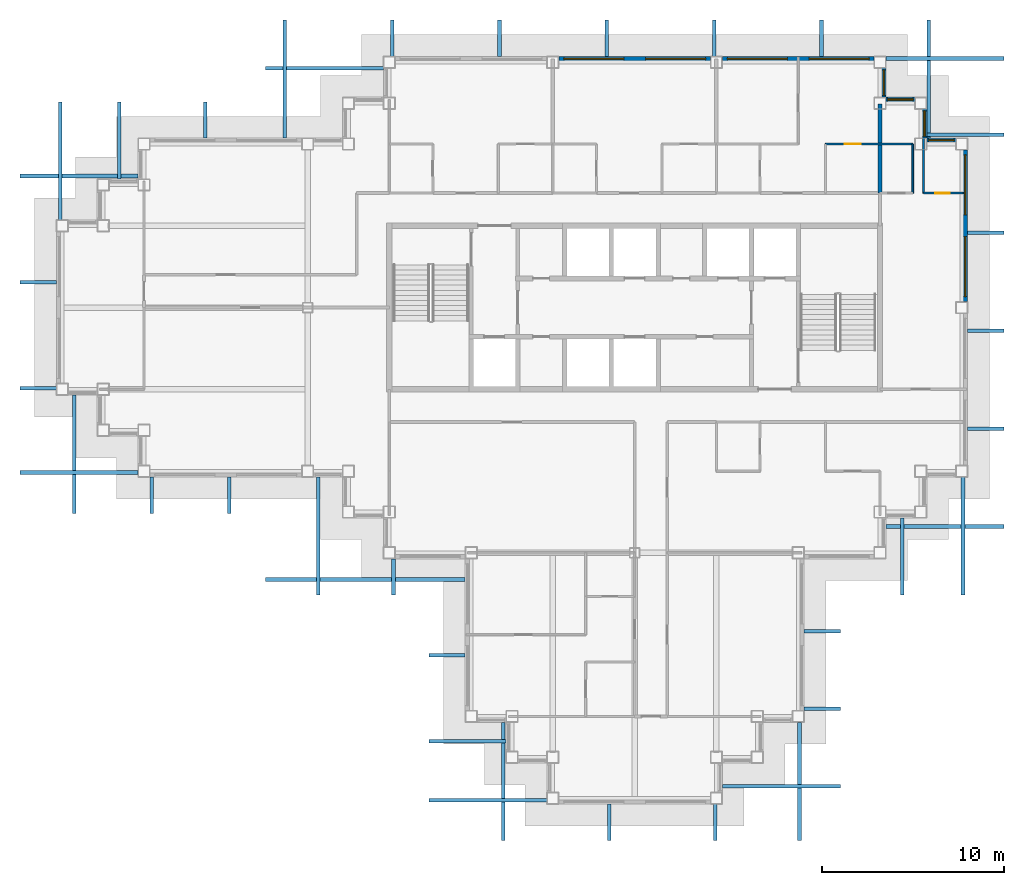
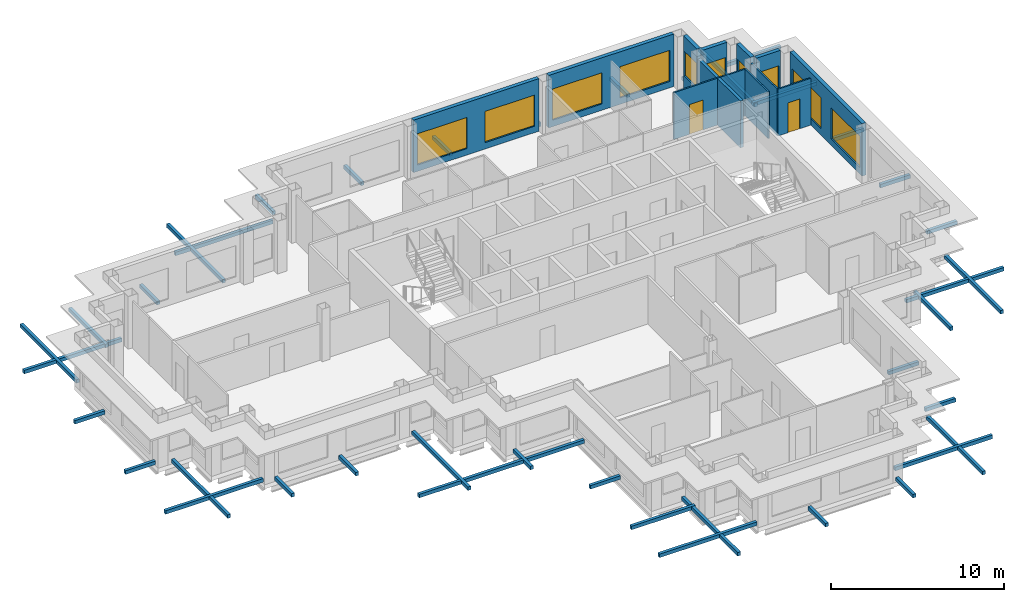
# One storey, part 7 of 11: 39 discrete accessories, 12 walls, 10 windows, 2 doors, 12 openings.
"""IFC4 building model written with IfcOpenShell, lengths in metres."""

from ifc_helpers import new_model, si_unit, direction, frame, frame_2d, origin, origin_2d, place, context, subcontext, project, spatial, rectangle, extrude, material, layer, layer_set, type_object, element, fill, save


model = new_model("IFC4")

# Units and contexts
model_context = context("Model", 3, precision=1e-05, world=origin(), true_north=direction((0.0, 1.0)))
body_context = subcontext(model_context, "Body", "Model", "MODEL_VIEW")
ifc_project = project(units=[si_unit("LENGTHUNIT", "METRE"), si_unit("AREAUNIT", "SQUARE_METRE"), si_unit("VOLUMEUNIT", "CUBIC_METRE"), si_unit("PLANEANGLEUNIT", "RADIAN"), si_unit("MASSUNIT", "GRAM", prefix="KILO")], contexts=[model_context])

# Site, building, storey
site_placement = place(None, origin())
site = spatial("IfcSite", under=ifc_project, at=site_placement, CompositionType="ELEMENT")
building_placement = place(site_placement, origin())
building = spatial("IfcBuilding", under=site, at=building_placement, Name="Caravel Reach Hotel and Residences", CompositionType="ELEMENT")
storey_placement = place(building_placement, frame((0.0, 0.0, 229.39990234375)))
storey = spatial("IfcBuildingStorey", under=building, at=storey_placement, Name="L58", CompositionType="ELEMENT", Elevation=229.39990234375)

# Wall, opening, door
ifc_material_1 = material(Name="Gypsum board on steel stud", Category="steel")
ifc_layer_1 = layer(ifc_material_1, 0.10009765625)
ifc_layer_set_1 = layer_set([ifc_layer_1], Name="Bathroom pod wall 100 mm")
wall_type_1 = type_object("IfcWallType", Name="Bathroom pod wall 100 mm", PredefinedType="PARTITIONING", material=ifc_layer_set_1)
wall_1_placement = place(storey_placement, frame((47.39990234375, 33.300048828125, 0.0), z_axis=(0.0, 0.0, 1.0), x_axis=(1.0, 0.0, 0.0)))
wall_1 = element("IfcWall", 1, at=wall_1_placement, inside=storey, type_object=wall_type_1, Name="L58 wall w069", PredefinedType="PARTITIONING", context=body_context, shape_type="SweptSolid", body=[
    extrude(rectangle(XDim=2.175048828125, YDim=0.10009765625, at=frame_2d((1.08740234375, 0.0))), origin(), (0.0, 0.0, 1.0), 3.300048828125),
])
opening_1_placement = place(wall_1_placement, frame((0.64990234375, 0.0, 0.0)))
opening_1 = element("IfcOpeningElement", 2, at=opening_1_placement, cuts=wall_1, Name="Opening D58-039", PredefinedType="OPENING", context=body_context, shape_type="SweptSolid", body=[
    extrude(rectangle(XDim=0.800048828125, YDim=2.10009765625, at=frame_2d((0.39990234375, 1.050048828125))), frame((0.0, 0.06005859375, 0.0), z_axis=(0.0, -1.0, 0.0), x_axis=(1.0, 0.0, 0.0)), (0.0, 0.0, 1.0), 0.1201171875),
])
ifc_material_2 = material(Name="Timber and steel door leaf", Category="steel")
door_type_1 = type_object("IfcDoorType", Name="Bathroom door 800 x 2100", OperationType="SINGLE_SWING_LEFT", PredefinedType="DOOR", material=ifc_material_2)
door_1_placement = place(opening_1_placement, origin())
door_1 = element("IfcDoor", 3, at=door_1_placement, inside=storey, type_object=door_type_1, Name="door D58-039", OperationType="SINGLE_SWING_LEFT", OverallHeight=2.10009765625, OverallWidth=0.800048828125, PredefinedType="DOOR", context=body_context, shape_type="SweptSolid", body=[
    extrude(rectangle(XDim=0.800048828125, YDim=2.10009765625, at=frame_2d((0.39990234375, 1.050048828125))), frame((0.0, 0.02490234375, 0.0), z_axis=(0.0, -1.0, 0.0), x_axis=(1.0, 0.0, 0.0)), (0.0, 0.0, 1.0), 0.050048828125),
])
fill(opening_1, door_1)

# Wall
wall_2_placement = place(storey_placement, frame((47.39990234375, 33.300048828125, 0.0), z_axis=(0.0, 0.0, 1.0), x_axis=(0.0, 1.0, 0.0)))
element("IfcWall", 4, at=wall_2_placement, inside=storey, type_object=wall_type_1, Name="L58 wall w083", PredefinedType="PARTITIONING", context=body_context, shape_type="SweptSolid", body=[
    extrude(rectangle(XDim=3.02490234375, YDim=0.10009765625, at=frame_2d((1.512451171875, 0.0))), origin(), (0.0, 0.0, 1.0), 3.300048828125),
])

# Wall, openings, windows
ifc_material_3 = material(Name="Insulated rainscreen wall, aluminium cladding", Category="aluminium")
ifc_layer_2 = layer(ifc_material_3, 0.25)
ifc_layer_set_2 = layer_set([ifc_layer_2], Name="EW1 Tower rainscreen wall")
wall_type_2 = type_object("IfcWallType", Name="EW1 Tower rainscreen wall", PredefinedType="SOLIDWALL", material=ifc_layer_set_2)
wall_3_placement = place(storey_placement, frame((49.699951171875, 27.324951171875, 0.0), z_axis=(0.0, 0.0, 1.0), x_axis=(0.0, 1.0, 0.0)))
wall_3 = element("IfcWall", 5, at=wall_3_placement, inside=storey, type_object=wall_type_2, Name="External wall L58 E6.2", PredefinedType="SOLIDWALL", context=body_context, shape_type="SweptSolid", body=[
    extrude(rectangle(XDim=8.35009765625, YDim=0.25, at=frame_2d((4.175048828125, 0.0))), origin(), (0.0, 0.0, 1.0), 3.7001953125),
])
opening_2_placement = place(wall_3_placement, frame((0.27490234375, 0.0, 0.449951171875)))
opening_2 = element("IfcOpeningElement", 6, at=opening_2_placement, cuts=wall_3, Name="Opening WN19", PredefinedType="OPENING", context=body_context, shape_type="SweptSolid", body=[
    extrude(rectangle(XDim=3.300048828125, YDim=2.199951171875, at=frame_2d((1.64990234375, 1.10009765625))), frame((0.0, 0.135009765625, 0.0), z_axis=(0.0, -1.0, 0.0), x_axis=(1.0, 0.0, 0.0)), (0.0, 0.0, 1.0), 0.27001953125),
])
opening_3_placement = place(wall_3_placement, frame((4.77490234375, 0.0, 0.449951171875)))
opening_3 = element("IfcOpeningElement", 7, at=opening_3_placement, cuts=wall_3, Name="Opening WN19", PredefinedType="OPENING", context=body_context, shape_type="SweptSolid", body=[
    extrude(rectangle(XDim=3.300048828125, YDim=2.199951171875, at=frame_2d((1.64990234375, 1.10009765625))), frame((0.0, 0.135009765625, 0.0), z_axis=(0.0, -1.0, 0.0), x_axis=(1.0, 0.0, 0.0)), (0.0, 0.0, 1.0), 0.27001953125),
])
ifc_material_4 = material(Name="Dark low-e glazing in black aluminium frame", Category="aluminium")
window_type_1 = type_object("IfcWindowType", Name="Residence living window 3300 x 2200", PartitioningType="SINGLE_PANEL", PredefinedType="WINDOW", material=ifc_material_4)
window_1_placement = place(opening_2_placement, origin())
window_1 = element("IfcWindow", 8, at=window_1_placement, inside=storey, type_object=window_type_1, Name="Window L58 E6.2.1", OverallHeight=2.199951171875, OverallWidth=3.300048828125, PartitioningType="SINGLE_PANEL", PredefinedType="WINDOW", context=body_context, shape_type="SweptSolid", body=[
    extrude(rectangle(XDim=3.300048828125, YDim=2.199951171875, at=frame_2d((1.64990234375, 1.10009765625))), frame((0.0, 0.030029296875, 0.0), z_axis=(0.0, -1.0, 0.0), x_axis=(1.0, 0.0, 0.0)), (0.0, 0.0, 1.0), 0.06005859375),
])
fill(opening_2, window_1)
window_2_placement = place(opening_3_placement, origin())
window_2 = element("IfcWindow", 9, at=window_2_placement, inside=storey, type_object=window_type_1, Name="Window L58 E6.2.2", OverallHeight=2.199951171875, OverallWidth=3.300048828125, PartitioningType="SINGLE_PANEL", PredefinedType="WINDOW", context=body_context, shape_type="SweptSolid", body=[
    extrude(rectangle(XDim=3.300048828125, YDim=2.199951171875, at=frame_2d((1.64990234375, 1.10009765625))), frame((0.0, 0.030029296875, 0.0), z_axis=(0.0, -1.0, 0.0), x_axis=(1.0, 0.0, 0.0)), (0.0, 0.0, 1.0), 0.06005859375),
])
fill(opening_3, window_2)

# Wall, opening, window
wall_4_placement = place(storey_placement, frame((49.175048828125, 36.199951171875, 0.0), z_axis=(0.0, 0.0, 1.0), x_axis=(-1.0, 0.0, 0.0)))
wall_4 = element("IfcWall", 10, at=wall_4_placement, inside=storey, type_object=wall_type_2, Name="External wall L58 N7.1", PredefinedType="SOLIDWALL", context=body_context, shape_type="SweptSolid", body=[
    extrude(rectangle(XDim=1.60009765625, YDim=0.25, at=frame_2d((0.800048828125, 0.0))), origin(), (0.0, 0.0, 1.0), 3.7001953125),
])
opening_4_placement = place(wall_4_placement, frame((0.10009765625, 0.0, 0.89990234375)))
opening_4 = element("IfcOpeningElement", 11, at=opening_4_placement, cuts=wall_4, Name="Opening WN24", PredefinedType="OPENING", context=body_context, shape_type="SweptSolid", body=[
    extrude(rectangle(XDim=1.39990234375, YDim=1.75, at=frame_2d((0.699951171875, 0.875))), frame((0.0, 0.135009765625, 0.0), z_axis=(0.0, -1.0, 0.0), x_axis=(1.0, 0.0, 0.0)), (0.0, 0.0, 1.0), 0.27001953125),
])
ifc_material_5 = material(Name="Dark low-e glazing in black aluminium frame", Category="aluminium")
window_type_2 = type_object("IfcWindowType", Name="Residence bedroom window 1400 x 1750", PartitioningType="SINGLE_PANEL", PredefinedType="WINDOW", material=ifc_material_5)
window_3_placement = place(opening_4_placement, origin())
window_3 = element("IfcWindow", 12, at=window_3_placement, inside=storey, type_object=window_type_2, Name="Window L58 N7.1.1", OverallHeight=1.75, OverallWidth=1.39990234375, PartitioningType="SINGLE_PANEL", PredefinedType="WINDOW", context=body_context, shape_type="SweptSolid", body=[
    extrude(rectangle(XDim=1.39990234375, YDim=1.75, at=frame_2d((0.699951171875, 0.875))), frame((0.0, 0.030029296875, 0.0), z_axis=(0.0, -1.0, 0.0), x_axis=(1.0, 0.0, 0.0)), (0.0, 0.0, 1.0), 0.06005859375),
])
fill(opening_4, window_3)

wall_5_placement = place(storey_placement, frame((47.449951171875, 36.324951171875, 0.0), z_axis=(0.0, 0.0, 1.0), x_axis=(0.0, 1.0, 0.0)))
wall_5 = element("IfcWall", 13, at=wall_5_placement, inside=storey, type_object=wall_type_2, Name="External wall L58 E8.1", PredefinedType="SOLIDWALL", context=body_context, shape_type="SweptSolid", body=[
    extrude(rectangle(XDim=1.60009765625, YDim=0.25, at=frame_2d((0.800048828125, 0.0))), origin(), (0.0, 0.0, 1.0), 3.7001953125),
])
opening_5_placement = place(wall_5_placement, frame((0.10009765625, 0.0, 0.89990234375)))
opening_5 = element("IfcOpeningElement", 14, at=opening_5_placement, cuts=wall_5, Name="Opening WN24", PredefinedType="OPENING", context=body_context, shape_type="SweptSolid", body=[
    extrude(rectangle(XDim=1.39990234375, YDim=1.75, at=frame_2d((0.699951171875, 0.875))), frame((0.0, 0.135009765625, 0.0), z_axis=(0.0, -1.0, 0.0), x_axis=(1.0, 0.0, 0.0)), (0.0, 0.0, 1.0), 0.27001953125),
])
window_4_placement = place(opening_5_placement, origin())
window_4 = element("IfcWindow", 15, at=window_4_placement, inside=storey, type_object=window_type_2, Name="Window L58 E8.1.1", OverallHeight=1.75, OverallWidth=1.39990234375, PartitioningType="SINGLE_PANEL", PredefinedType="WINDOW", context=body_context, shape_type="SweptSolid", body=[
    extrude(rectangle(XDim=1.39990234375, YDim=1.75, at=frame_2d((0.699951171875, 0.875))), frame((0.0, 0.030029296875, 0.0), z_axis=(0.0, -1.0, 0.0), x_axis=(1.0, 0.0, 0.0)), (0.0, 0.0, 1.0), 0.06005859375),
])
fill(opening_5, window_4)

wall_6_placement = place(storey_placement, frame((46.925048828125, 38.449951171875, 0.0), z_axis=(0.0, 0.0, 1.0), x_axis=(-1.0, 0.0, 0.0)))
wall_6 = element("IfcWall", 16, at=wall_6_placement, inside=storey, type_object=wall_type_2, Name="External wall L58 N9.1", PredefinedType="SOLIDWALL", context=body_context, shape_type="SweptSolid", body=[
    extrude(rectangle(XDim=1.60009765625, YDim=0.25, at=frame_2d((0.800048828125, 0.0))), origin(), (0.0, 0.0, 1.0), 3.7001953125),
])
opening_6_placement = place(wall_6_placement, frame((0.10009765625, 0.0, 0.89990234375)))
opening_6 = element("IfcOpeningElement", 17, at=opening_6_placement, cuts=wall_6, Name="Opening WN24", PredefinedType="OPENING", context=body_context, shape_type="SweptSolid", body=[
    extrude(rectangle(XDim=1.39990234375, YDim=1.75, at=frame_2d((0.699951171875, 0.875))), frame((0.0, 0.135009765625, 0.0), z_axis=(0.0, -1.0, 0.0), x_axis=(1.0, 0.0, 0.0)), (0.0, 0.0, 1.0), 0.27001953125),
])
window_5_placement = place(opening_6_placement, origin())
window_5 = element("IfcWindow", 18, at=window_5_placement, inside=storey, type_object=window_type_2, Name="Window L58 N9.1.1", OverallHeight=1.75, OverallWidth=1.39990234375, PartitioningType="SINGLE_PANEL", PredefinedType="WINDOW", context=body_context, shape_type="SweptSolid", body=[
    extrude(rectangle(XDim=1.39990234375, YDim=1.75, at=frame_2d((0.699951171875, 0.875))), frame((0.0, 0.030029296875, 0.0), z_axis=(0.0, -1.0, 0.0), x_axis=(1.0, 0.0, 0.0)), (0.0, 0.0, 1.0), 0.06005859375),
])
fill(opening_6, window_5)

wall_7_placement = place(storey_placement, frame((45.199951171875, 38.574951171875, 0.0), z_axis=(0.0, 0.0, 1.0), x_axis=(0.0, 1.0, 0.0)))
wall_7 = element("IfcWall", 19, at=wall_7_placement, inside=storey, type_object=wall_type_2, Name="External wall L58 E10.1", PredefinedType="SOLIDWALL", context=body_context, shape_type="SweptSolid", body=[
    extrude(rectangle(XDim=1.60009765625, YDim=0.25, at=frame_2d((0.800048828125, 0.0))), origin(), (0.0, 0.0, 1.0), 3.7001953125),
])
opening_7_placement = place(wall_7_placement, frame((0.10009765625, 0.0, 0.89990234375)))
opening_7 = element("IfcOpeningElement", 20, at=opening_7_placement, cuts=wall_7, Name="Opening WN24", PredefinedType="OPENING", context=body_context, shape_type="SweptSolid", body=[
    extrude(rectangle(XDim=1.39990234375, YDim=1.75, at=frame_2d((0.699951171875, 0.875))), frame((0.0, 0.135009765625, 0.0), z_axis=(0.0, -1.0, 0.0), x_axis=(1.0, 0.0, 0.0)), (0.0, 0.0, 1.0), 0.27001953125),
])
window_6_placement = place(opening_7_placement, origin())
window_6 = element("IfcWindow", 21, at=window_6_placement, inside=storey, type_object=window_type_2, Name="Window L58 E10.1.1", OverallHeight=1.75, OverallWidth=1.39990234375, PartitioningType="SINGLE_PANEL", PredefinedType="WINDOW", context=body_context, shape_type="SweptSolid", body=[
    extrude(rectangle(XDim=1.39990234375, YDim=1.75, at=frame_2d((0.699951171875, 0.875))), frame((0.0, 0.030029296875, 0.0), z_axis=(0.0, -1.0, 0.0), x_axis=(1.0, 0.0, 0.0)), (0.0, 0.0, 1.0), 0.06005859375),
])
fill(opening_7, window_6)

# Wall, openings, windows
wall_8_placement = place(storey_placement, frame((44.675048828125, 40.699951171875, 0.0), z_axis=(0.0, 0.0, 1.0), x_axis=(-1.0, 0.0, 0.0)))
wall_8 = element("IfcWall", 22, at=wall_8_placement, inside=storey, type_object=wall_type_2, Name="External wall L58 N11.1", PredefinedType="SOLIDWALL", context=body_context, shape_type="SweptSolid", body=[
    extrude(rectangle(XDim=8.35009765625, YDim=0.25, at=frame_2d((4.175048828125, 0.0))), origin(), (0.0, 0.0, 1.0), 3.7001953125),
])
opening_8_placement = place(wall_8_placement, frame((0.27490234375, 0.0, 0.449951171875)))
opening_8 = element("IfcOpeningElement", 23, at=opening_8_placement, cuts=wall_8, Name="Opening WN19", PredefinedType="OPENING", context=body_context, shape_type="SweptSolid", body=[
    extrude(rectangle(XDim=3.300048828125, YDim=2.199951171875, at=frame_2d((1.64990234375, 1.10009765625))), frame((0.0, 0.135009765625, 0.0), z_axis=(0.0, -1.0, 0.0), x_axis=(1.0, 0.0, 0.0)), (0.0, 0.0, 1.0), 0.27001953125),
])
opening_9_placement = place(wall_8_placement, frame((4.77490234375, 0.0, 0.449951171875)))
opening_9 = element("IfcOpeningElement", 24, at=opening_9_placement, cuts=wall_8, Name="Opening WN19", PredefinedType="OPENING", context=body_context, shape_type="SweptSolid", body=[
    extrude(rectangle(XDim=3.300048828125, YDim=2.199951171875, at=frame_2d((1.64990234375, 1.10009765625))), frame((0.0, 0.135009765625, 0.0), z_axis=(0.0, -1.0, 0.0), x_axis=(1.0, 0.0, 0.0)), (0.0, 0.0, 1.0), 0.27001953125),
])
window_7_placement = place(opening_8_placement, origin())
window_7 = element("IfcWindow", 25, at=window_7_placement, inside=storey, type_object=window_type_1, Name="Window L58 N11.1.1", OverallHeight=2.199951171875, OverallWidth=3.300048828125, PartitioningType="SINGLE_PANEL", PredefinedType="WINDOW", context=body_context, shape_type="SweptSolid", body=[
    extrude(rectangle(XDim=3.300048828125, YDim=2.199951171875, at=frame_2d((1.64990234375, 1.10009765625))), frame((0.0, 0.030029296875, 0.0), z_axis=(0.0, -1.0, 0.0), x_axis=(1.0, 0.0, 0.0)), (0.0, 0.0, 1.0), 0.06005859375),
])
fill(opening_8, window_7)
window_8_placement = place(opening_9_placement, origin())
window_8 = element("IfcWindow", 26, at=window_8_placement, inside=storey, type_object=window_type_1, Name="Window L58 N11.1.2", OverallHeight=2.199951171875, OverallWidth=3.300048828125, PartitioningType="SINGLE_PANEL", PredefinedType="WINDOW", context=body_context, shape_type="SweptSolid", body=[
    extrude(rectangle(XDim=3.300048828125, YDim=2.199951171875, at=frame_2d((1.64990234375, 1.10009765625))), frame((0.0, 0.030029296875, 0.0), z_axis=(0.0, -1.0, 0.0), x_axis=(1.0, 0.0, 0.0)), (0.0, 0.0, 1.0), 0.06005859375),
])
fill(opening_9, window_8)

wall_9_placement = place(storey_placement, frame((35.675048828125, 40.699951171875, 0.0), z_axis=(0.0, 0.0, 1.0), x_axis=(-1.0, 0.0, 0.0)))
wall_9 = element("IfcWall", 27, at=wall_9_placement, inside=storey, type_object=wall_type_2, Name="External wall L58 N11.2", PredefinedType="SOLIDWALL", context=body_context, shape_type="SweptSolid", body=[
    extrude(rectangle(XDim=8.35009765625, YDim=0.25, at=frame_2d((4.175048828125, 0.0))), origin(), (0.0, 0.0, 1.0), 3.7001953125),
])
opening_10_placement = place(wall_9_placement, frame((0.27490234375, 0.0, 0.449951171875)))
opening_10 = element("IfcOpeningElement", 28, at=opening_10_placement, cuts=wall_9, Name="Opening WN19", PredefinedType="OPENING", context=body_context, shape_type="SweptSolid", body=[
    extrude(rectangle(XDim=3.300048828125, YDim=2.199951171875, at=frame_2d((1.64990234375, 1.10009765625))), frame((0.0, 0.135009765625, 0.0), z_axis=(0.0, -1.0, 0.0), x_axis=(1.0, 0.0, 0.0)), (0.0, 0.0, 1.0), 0.27001953125),
])
opening_11_placement = place(wall_9_placement, frame((4.77490234375, 0.0, 0.449951171875)))
opening_11 = element("IfcOpeningElement", 29, at=opening_11_placement, cuts=wall_9, Name="Opening WN19", PredefinedType="OPENING", context=body_context, shape_type="SweptSolid", body=[
    extrude(rectangle(XDim=3.300048828125, YDim=2.199951171875, at=frame_2d((1.64990234375, 1.10009765625))), frame((0.0, 0.135009765625, 0.0), z_axis=(0.0, -1.0, 0.0), x_axis=(1.0, 0.0, 0.0)), (0.0, 0.0, 1.0), 0.27001953125),
])
window_9_placement = place(opening_10_placement, origin())
window_9 = element("IfcWindow", 30, at=window_9_placement, inside=storey, type_object=window_type_1, Name="Window L58 N11.2.1", OverallHeight=2.199951171875, OverallWidth=3.300048828125, PartitioningType="SINGLE_PANEL", PredefinedType="WINDOW", context=body_context, shape_type="SweptSolid", body=[
    extrude(rectangle(XDim=3.300048828125, YDim=2.199951171875, at=frame_2d((1.64990234375, 1.10009765625))), frame((0.0, 0.030029296875, 0.0), z_axis=(0.0, -1.0, 0.0), x_axis=(1.0, 0.0, 0.0)), (0.0, 0.0, 1.0), 0.06005859375),
])
fill(opening_10, window_9)
window_10_placement = place(opening_11_placement, origin())
window_10 = element("IfcWindow", 31, at=window_10_placement, inside=storey, type_object=window_type_1, Name="Window L58 N11.2.2", OverallHeight=2.199951171875, OverallWidth=3.300048828125, PartitioningType="SINGLE_PANEL", PredefinedType="WINDOW", context=body_context, shape_type="SweptSolid", body=[
    extrude(rectangle(XDim=3.300048828125, YDim=2.199951171875, at=frame_2d((1.64990234375, 1.10009765625))), frame((0.0, 0.030029296875, 0.0), z_axis=(0.0, -1.0, 0.0), x_axis=(1.0, 0.0, 0.0)), (0.0, 0.0, 1.0), 0.06005859375),
])
fill(opening_11, window_10)

# Wall, opening, door
ifc_material_6 = material(Name="Gypsum board on steel stud", Category="steel")
ifc_layer_3 = layer(ifc_material_6, 0.10009765625)
ifc_layer_set_3 = layer_set([ifc_layer_3], Name="Partition 100 mm")
wall_type_3 = type_object("IfcWallType", Name="Partition 100 mm", PredefinedType="PARTITIONING", material=ifc_layer_set_3)
wall_10_placement = place(storey_placement, frame((42.0, 36.0, 0.0), z_axis=(0.0, 0.0, 1.0), x_axis=(1.0, 0.0, 0.0)))
wall_10 = element("IfcWall", 32, at=wall_10_placement, inside=storey, type_object=wall_type_3, Name="L58 wall w036", PredefinedType="PARTITIONING", context=body_context, shape_type="SweptSolid", body=[
    extrude(rectangle(XDim=4.800048828125, YDim=0.10009765625, at=frame_2d((2.39990234375, 0.0))), origin(), (0.0, 0.0, 1.0), 3.300048828125),
])
opening_12_placement = place(wall_10_placement, frame((1.050048828125, 0.0, 0.0)))
opening_12 = element("IfcOpeningElement", 33, at=opening_12_placement, cuts=wall_10, Name="Opening D58-024", PredefinedType="OPENING", context=body_context, shape_type="SweptSolid", body=[
    extrude(rectangle(XDim=0.89990234375, YDim=2.10009765625, at=frame_2d((0.449951171875, 1.050048828125))), frame((0.0, 0.06005859375, 0.0), z_axis=(0.0, -1.0, 0.0), x_axis=(1.0, 0.0, 0.0)), (0.0, 0.0, 1.0), 0.1201171875),
])
ifc_material_7 = material(Name="Timber and steel door leaf", Category="steel")
door_type_2 = type_object("IfcDoorType", Name="Door 900 x 2100 timber", OperationType="SINGLE_SWING_LEFT", PredefinedType="DOOR", material=ifc_material_7)
door_2_placement = place(opening_12_placement, origin())
door_2 = element("IfcDoor", 34, at=door_2_placement, inside=storey, type_object=door_type_2, Name="door D58-024", OperationType="SINGLE_SWING_RIGHT", OverallHeight=2.10009765625, OverallWidth=0.89990234375, PredefinedType="DOOR", context=body_context, shape_type="SweptSolid", body=[
    extrude(rectangle(XDim=0.89990234375, YDim=2.10009765625, at=frame_2d((0.449951171875, 1.050048828125))), frame((0.0, 0.02490234375, 0.0), z_axis=(0.0, -1.0, 0.0), x_axis=(1.0, 0.0, 0.0)), (0.0, 0.0, 1.0), 0.050048828125),
])
fill(opening_12, door_2)

# Walls
wall_11_placement = place(storey_placement, frame((46.800048828125, 33.300048828125, 0.0), z_axis=(0.0, 0.0, 1.0), x_axis=(0.0, 1.0, 0.0)))
element("IfcWall", 35, at=wall_11_placement, inside=storey, type_object=wall_type_3, Name="L58 wall w057", PredefinedType="PARTITIONING", context=body_context, shape_type="SweptSolid", body=[
    extrude(rectangle(XDim=2.699951171875, YDim=0.10009765625, at=frame_2d((1.35009765625, 0.0))), origin(), (0.0, 0.0, 1.0), 3.300048828125),
])
ifc_material_8 = material(Name="Autoclaved aerated block wall")
ifc_layer_4 = layer(ifc_material_8, 0.199951171875)
ifc_layer_set_4 = layer_set([ifc_layer_4], Name="Party wall 200 mm EI 60")
wall_type_4 = type_object("IfcWallType", Name="Party wall 200 mm EI 60", PredefinedType="PARTITIONING", material=ifc_layer_set_4)
wall_12_placement = place(storey_placement, frame((45.0, 33.300048828125, 0.0), z_axis=(0.0, 0.0, 1.0), x_axis=(0.0, 1.0, 0.0)))
element("IfcWall", 36, at=wall_12_placement, inside=storey, type_object=wall_type_4, Name="L58 wall w061", PredefinedType="PARTITIONING", context=body_context, shape_type="SweptSolid", body=[
    extrude(rectangle(XDim=4.89990234375, YDim=0.199951171875, at=frame_2d((2.449951171875, 0.0))), origin(), (0.0, 0.0, 1.0), 3.300048828125),
])

# Discrete accessories
ifc_material_9 = material(Name="Black powder-coated aluminium", Category="aluminium")
discrete_accessory_type = type_object("IfcDiscreteAccessoryType", Name="BR1 Screen bracket", PredefinedType="BRACKET", material=ifc_material_9)
discrete_accessory_1_placement = place(storey_placement, frame((39.574951171875, 0.66162109375, 0.10009765625), z_axis=(0.0, 0.0, 1.0), x_axis=(1.0, 0.0, 0.0)))
element("IfcDiscreteAccessory", 37, at=discrete_accessory_1_placement, inside=storey, type_object=discrete_accessory_type, Name="Screen bracket L58 1.1.2", PredefinedType="BRACKET", context=body_context, shape_type="SweptSolid", body=[
    extrude(rectangle(XDim=6.5, YDim=0.199951171875, at=origin_2d()), origin(), (0.0, 0.0, 1.0), 0.25),
])
for number, where, z_axis, x_axis, name in (
    (38, (41.824951171875, 4.92822265625, 0.10009765625), (0.0, 0.0, 1.0), (1.0, 0.0, 0.0), "Screen bracket L58 1.2.2"),
    (39, (41.824951171875, 9.195068359375, 0.10009765625), (0.0, 0.0, 1.0), (1.0, 0.0, 0.0), "Screen bracket L58 1.3.2"),
):
    element("IfcDiscreteAccessory", number, at=place(storey_placement, frame(where, z_axis=z_axis, x_axis=x_axis)), inside=storey, type_object=discrete_accessory_type, Name=name, PredefinedType="BRACKET", context=body_context, shape_type="SweptSolid", body=[
        extrude(rectangle(XDim=2.0, YDim=0.199951171875, at=origin_2d()), origin(), (0.0, 0.0, 1.0), 0.25),
    ])
discrete_accessory_2_placement = place(storey_placement, frame((46.219970703125, 13.300048828125, 0.10009765625), z_axis=(0.0, 0.0, 1.0), x_axis=(0.0, -1.0, 0.0)))
element("IfcDiscreteAccessory", 40, at=discrete_accessory_2_placement, inside=storey, type_object=discrete_accessory_type, Name="Screen bracket L58 2.1.2", PredefinedType="BRACKET", context=body_context, shape_type="SweptSolid", body=[
    extrude(rectangle(XDim=4.25, YDim=0.199951171875, at=origin_2d()), origin(), (0.0, 0.0, 1.0), 0.25),
])
for number, where, z_axis, x_axis, name in (
    (41, (49.570068359375, 14.425048828125, 0.10009765625), (0.0, 0.0, 1.0), (0.0, -1.0, 0.0), "Screen bracket L58 2.2.2"),
    (42, (48.574951171875, 14.94921875, 0.10009765625), (0.0, 0.0, 1.0), (1.0, 0.0, 0.0), "Screen bracket L58 3.1.2"),
):
    element("IfcDiscreteAccessory", number, at=place(storey_placement, frame(where, z_axis=z_axis, x_axis=x_axis)), inside=storey, type_object=discrete_accessory_type, Name=name, PredefinedType="BRACKET", context=body_context, shape_type="SweptSolid", body=[
        extrude(rectangle(XDim=6.5, YDim=0.199951171875, at=origin_2d()), origin(), (0.0, 0.0, 1.0), 0.25),
    ])
for number, where, z_axis, x_axis, name in (
    (43, (50.824951171875, 20.3408203125, 0.10009765625), (0.0, 0.0, 1.0), (1.0, 0.0, 0.0), "Screen bracket L58 3.2.2"),
    (44, (50.824951171875, 25.732421875, 0.10009765625), (0.0, 0.0, 1.0), (1.0, 0.0, 0.0), "Screen bracket L58 3.3.2"),
    (45, (50.824951171875, 31.124267578125, 0.10009765625), (0.0, 0.0, 1.0), (1.0, 0.0, 0.0), "Screen bracket L58 3.4.2"),
):
    element("IfcDiscreteAccessory", number, at=place(storey_placement, frame(where, z_axis=z_axis, x_axis=x_axis)), inside=storey, type_object=discrete_accessory_type, Name=name, PredefinedType="BRACKET", context=body_context, shape_type="SweptSolid", body=[
        extrude(rectangle(XDim=2.0, YDim=0.199951171875, at=origin_2d()), origin(), (0.0, 0.0, 1.0), 0.25),
    ])
discrete_accessory_3_placement = place(storey_placement, frame((49.699951171875, 36.515869140625, 0.10009765625), z_axis=(0.0, 0.0, 1.0), x_axis=(1.0, 0.0, 0.0)))
element("IfcDiscreteAccessory", 46, at=discrete_accessory_3_placement, inside=storey, type_object=discrete_accessory_type, Name="Screen bracket L58 3.5.2", PredefinedType="BRACKET", context=body_context, shape_type="SweptSolid", body=[
    extrude(rectangle(XDim=4.25, YDim=0.199951171875, at=origin_2d()), origin(), (0.0, 0.0, 1.0), 0.25),
])
for number, where, z_axis, x_axis, name in (
    (47, (48.574951171875, 40.70751953125, 0.10009765625), (0.0, 0.0, 1.0), (1.0, 0.0, 0.0), "Screen bracket L58 3.6.2"),
    (48, (47.68994140625, 39.574951171875, 0.10009765625), (0.0, 0.0, 1.0), (0.0, 1.0, 0.0), "Screen bracket L58 4.1.2"),
):
    element("IfcDiscreteAccessory", number, at=place(storey_placement, frame(where, z_axis=z_axis, x_axis=x_axis)), inside=storey, type_object=discrete_accessory_type, Name=name, PredefinedType="BRACKET", context=body_context, shape_type="SweptSolid", body=[
        extrude(rectangle(XDim=6.5, YDim=0.199951171875, at=origin_2d()), origin(), (0.0, 0.0, 1.0), 0.25),
    ])
for number, where, z_axis, x_axis, name in (
    (49, (41.782958984375, 41.824951171875, 0.10009765625), (0.0, 0.0, 1.0), (0.0, 1.0, 0.0), "Screen bracket L58 4.2.2"),
    (50, (35.875732421875, 41.824951171875, 0.10009765625), (0.0, 0.0, 1.0), (0.0, 1.0, 0.0), "Screen bracket L58 4.3.2"),
    (51, (29.968505859375, 41.824951171875, 0.10009765625), (0.0, 0.0, 1.0), (0.0, 1.0, 0.0), "Screen bracket L58 4.4.2"),
    (52, (24.0615234375, 41.824951171875, 0.10009765625), (0.0, 0.0, 1.0), (0.0, 1.0, 0.0), "Screen bracket L58 4.5.2"),
    (53, (18.154296875, 41.824951171875, 0.10009765625), (0.0, 0.0, 1.0), (0.0, 1.0, 0.0), "Screen bracket L58 4.6.2"),
):
    element("IfcDiscreteAccessory", number, at=place(storey_placement, frame(where, z_axis=z_axis, x_axis=x_axis)), inside=storey, type_object=discrete_accessory_type, Name=name, PredefinedType="BRACKET", context=body_context, shape_type="SweptSolid", body=[
        extrude(rectangle(XDim=2.0, YDim=0.199951171875, at=origin_2d()), origin(), (0.0, 0.0, 1.0), 0.25),
    ])
for number, where, z_axis, x_axis, name in (
    (54, (12.2470703125, 39.574951171875, 0.10009765625), (0.0, 0.0, 1.0), (0.0, 1.0, 0.0), "Screen bracket L58 4.7.2"),
    (55, (14.425048828125, 40.1650390625, 0.10009765625), (0.0, 0.0, 1.0), (-1.0, 0.0, 0.0), "Screen bracket L58 5.1.2"),
):
    element("IfcDiscreteAccessory", number, at=place(storey_placement, frame(where, z_axis=z_axis, x_axis=x_axis)), inside=storey, type_object=discrete_accessory_type, Name=name, PredefinedType="BRACKET", context=body_context, shape_type="SweptSolid", body=[
        extrude(rectangle(XDim=6.5, YDim=0.199951171875, at=origin_2d()), origin(), (0.0, 0.0, 1.0), 0.25),
    ])
discrete_accessory_4_placement = place(storey_placement, frame((7.861572265625, 37.324951171875, 0.10009765625), z_axis=(0.0, 0.0, 1.0), x_axis=(0.0, 1.0, 0.0)))
element("IfcDiscreteAccessory", 56, at=discrete_accessory_4_placement, inside=storey, type_object=discrete_accessory_type, Name="Screen bracket L58 6.1.2", PredefinedType="BRACKET", context=body_context, shape_type="SweptSolid", body=[
    extrude(rectangle(XDim=2.0, YDim=0.199951171875, at=origin_2d()), origin(), (0.0, 0.0, 1.0), 0.25),
])
discrete_accessory_5_placement = place(storey_placement, frame((3.12841796875, 36.199951171875, 0.10009765625), z_axis=(0.0, 0.0, 1.0), x_axis=(0.0, 1.0, 0.0)))
element("IfcDiscreteAccessory", 57, at=discrete_accessory_5_placement, inside=storey, type_object=discrete_accessory_type, Name="Screen bracket L58 6.2.2", PredefinedType="BRACKET", context=body_context, shape_type="SweptSolid", body=[
    extrude(rectangle(XDim=4.25, YDim=0.199951171875, at=origin_2d()), origin(), (0.0, 0.0, 1.0), 0.25),
])
for number, where, z_axis, x_axis, name in (
    (58, (-0.10498046875, 35.074951171875, 0.10009765625), (0.0, 0.0, 1.0), (0.0, 1.0, 0.0), "Screen bracket L58 6.3.2"),
    (59, (0.925048828125, 34.23876953125, 0.10009765625), (0.0, 0.0, 1.0), (-1.0, 0.0, 0.0), "Screen bracket L58 7.1.2"),
):
    element("IfcDiscreteAccessory", number, at=place(storey_placement, frame(where, z_axis=z_axis, x_axis=x_axis)), inside=storey, type_object=discrete_accessory_type, Name=name, PredefinedType="BRACKET", context=body_context, shape_type="SweptSolid", body=[
        extrude(rectangle(XDim=6.5, YDim=0.199951171875, at=origin_2d()), origin(), (0.0, 0.0, 1.0), 0.25),
    ])
for number, where, z_axis, x_axis, name in (
    (60, (-1.324951171875, 28.4013671875, 0.10009765625), (0.0, 0.0, 1.0), (-1.0, 0.0, 0.0), "Screen bracket L58 7.2.2"),
    (61, (-1.324951171875, 22.563720703125, 0.10009765625), (0.0, 0.0, 1.0), (-1.0, 0.0, 0.0), "Screen bracket L58 7.3.2"),
):
    element("IfcDiscreteAccessory", number, at=place(storey_placement, frame(where, z_axis=z_axis, x_axis=x_axis)), inside=storey, type_object=discrete_accessory_type, Name=name, PredefinedType="BRACKET", context=body_context, shape_type="SweptSolid", body=[
        extrude(rectangle(XDim=2.0, YDim=0.199951171875, at=origin_2d()), origin(), (0.0, 0.0, 1.0), 0.25),
    ])
for number, where, z_axis, x_axis, name in (
    (62, (0.925048828125, 17.92626953125, 0.10009765625), (0.0, 0.0, 1.0), (-1.0, 0.0, 0.0), "Screen bracket L58 7.4.2"),
    (63, (0.66162109375, 18.925048828125, 0.10009765625), (0.0, 0.0, 1.0), (0.0, -1.0, 0.0), "Screen bracket L58 8.1.2"),
):
    element("IfcDiscreteAccessory", number, at=place(storey_placement, frame(where, z_axis=z_axis, x_axis=x_axis)), inside=storey, type_object=discrete_accessory_type, Name=name, PredefinedType="BRACKET", context=body_context, shape_type="SweptSolid", body=[
        extrude(rectangle(XDim=6.5, YDim=0.199951171875, at=origin_2d()), origin(), (0.0, 0.0, 1.0), 0.25),
    ])
for number, where, z_axis, x_axis, name in (
    (64, (4.92822265625, 16.675048828125, 0.10009765625), (0.0, 0.0, 1.0), (0.0, -1.0, 0.0), "Screen bracket L58 8.2.2"),
    (65, (9.195068359375, 16.675048828125, 0.10009765625), (0.0, 0.0, 1.0), (0.0, -1.0, 0.0), "Screen bracket L58 8.3.2"),
):
    element("IfcDiscreteAccessory", number, at=place(storey_placement, frame(where, z_axis=z_axis, x_axis=x_axis)), inside=storey, type_object=discrete_accessory_type, Name=name, PredefinedType="BRACKET", context=body_context, shape_type="SweptSolid", body=[
        extrude(rectangle(XDim=2.0, YDim=0.199951171875, at=origin_2d()), origin(), (0.0, 0.0, 1.0), 0.25),
    ])
discrete_accessory_6_placement = place(storey_placement, frame((16.675048828125, 12.034912109375, 0.10009765625), z_axis=(0.0, 0.0, 1.0), x_axis=(-1.0, 0.0, 0.0)))
element("IfcDiscreteAccessory", 66, at=discrete_accessory_6_placement, inside=storey, type_object=discrete_accessory_type, Name="Screen bracket L58 9.1.2", PredefinedType="BRACKET", context=body_context, shape_type="SweptSolid", body=[
    extrude(rectangle(XDim=11.0, YDim=0.199951171875, at=origin_2d()), origin(), (0.0, 0.0, 1.0), 0.25),
])
discrete_accessory_7_placement = place(storey_placement, frame((14.080078125, 14.425048828125, 0.10009765625), z_axis=(0.0, 0.0, 1.0), x_axis=(0.0, -1.0, 0.0)))
element("IfcDiscreteAccessory", 67, at=discrete_accessory_7_placement, inside=storey, type_object=discrete_accessory_type, Name="Screen bracket L58 10.1.2", PredefinedType="BRACKET", context=body_context, shape_type="SweptSolid", body=[
    extrude(rectangle(XDim=6.5, YDim=0.199951171875, at=origin_2d()), origin(), (0.0, 0.0, 1.0), 0.25),
])
for number, where, z_axis, x_axis, name in (
    (68, (18.22998046875, 12.175048828125, 0.10009765625), (0.0, 0.0, 1.0), (0.0, -1.0, 0.0), "Screen bracket L58 10.2.2"),
    (69, (21.175048828125, 7.861572265625, 0.10009765625), (0.0, 0.0, 1.0), (-1.0, 0.0, 0.0), "Screen bracket L58 11.1.2"),
):
    element("IfcDiscreteAccessory", number, at=place(storey_placement, frame(where, z_axis=z_axis, x_axis=x_axis)), inside=storey, type_object=discrete_accessory_type, Name=name, PredefinedType="BRACKET", context=body_context, shape_type="SweptSolid", body=[
        extrude(rectangle(XDim=2.0, YDim=0.199951171875, at=origin_2d()), origin(), (0.0, 0.0, 1.0), 0.25),
    ])
discrete_accessory_8_placement = place(storey_placement, frame((22.300048828125, 3.12841796875, 0.10009765625), z_axis=(0.0, 0.0, 1.0), x_axis=(-1.0, 0.0, 0.0)))
element("IfcDiscreteAccessory", 70, at=discrete_accessory_8_placement, inside=storey, type_object=discrete_accessory_type, Name="Screen bracket L58 11.2.2", PredefinedType="BRACKET", context=body_context, shape_type="SweptSolid", body=[
    extrude(rectangle(XDim=4.25, YDim=0.199951171875, at=origin_2d()), origin(), (0.0, 0.0, 1.0), 0.25),
])
for number, where, z_axis, x_axis, name in (
    (71, (23.425048828125, -0.10498046875, 0.10009765625), (0.0, 0.0, 1.0), (-1.0, 0.0, 0.0), "Screen bracket L58 11.3.2"),
    (72, (24.26123046875, 0.925048828125, 0.10009765625), (0.0, 0.0, 1.0), (0.0, -1.0, 0.0), "Screen bracket L58 12.1.2"),
):
    element("IfcDiscreteAccessory", number, at=place(storey_placement, frame(where, z_axis=z_axis, x_axis=x_axis)), inside=storey, type_object=discrete_accessory_type, Name=name, PredefinedType="BRACKET", context=body_context, shape_type="SweptSolid", body=[
        extrude(rectangle(XDim=6.5, YDim=0.199951171875, at=origin_2d()), origin(), (0.0, 0.0, 1.0), 0.25),
    ])
for number, where, z_axis, x_axis, name in (
    (73, (30.0986328125, -1.324951171875, 0.10009765625), (0.0, 0.0, 1.0), (0.0, -1.0, 0.0), "Screen bracket L58 12.2.2"),
    (74, (35.936279296875, -1.324951171875, 0.10009765625), (0.0, 0.0, 1.0), (0.0, -1.0, 0.0), "Screen bracket L58 12.3.2"),
):
    element("IfcDiscreteAccessory", number, at=place(storey_placement, frame(where, z_axis=z_axis, x_axis=x_axis)), inside=storey, type_object=discrete_accessory_type, Name=name, PredefinedType="BRACKET", context=body_context, shape_type="SweptSolid", body=[
        extrude(rectangle(XDim=2.0, YDim=0.199951171875, at=origin_2d()), origin(), (0.0, 0.0, 1.0), 0.25),
    ])
discrete_accessory_9_placement = place(storey_placement, frame((40.57373046875, 0.925048828125, 0.10009765625), z_axis=(0.0, 0.0, 1.0), x_axis=(0.0, -1.0, 0.0)))
element("IfcDiscreteAccessory", 75, at=discrete_accessory_9_placement, inside=storey, type_object=discrete_accessory_type, Name="Screen bracket L58 12.4.2", PredefinedType="BRACKET", context=body_context, shape_type="SweptSolid", body=[
    extrude(rectangle(XDim=6.5, YDim=0.199951171875, at=origin_2d()), origin(), (0.0, 0.0, 1.0), 0.25),
])

save(model, "model.ifc")
